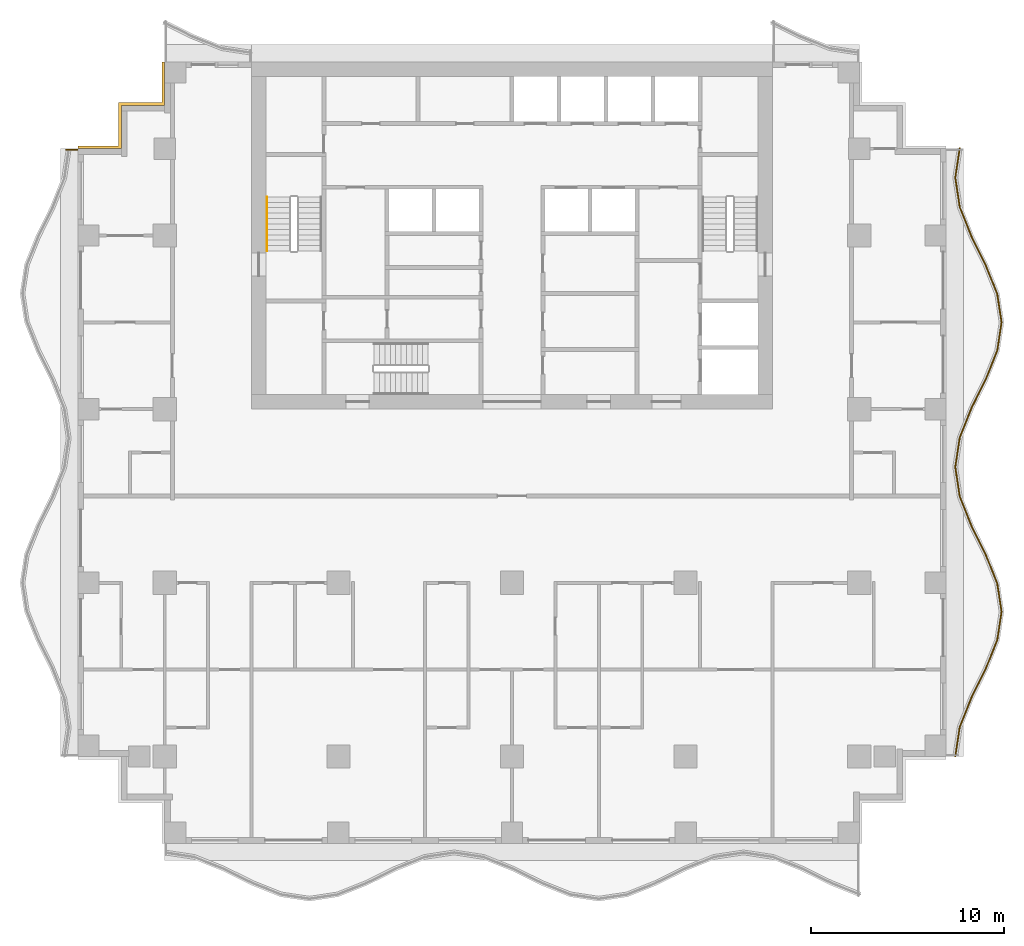
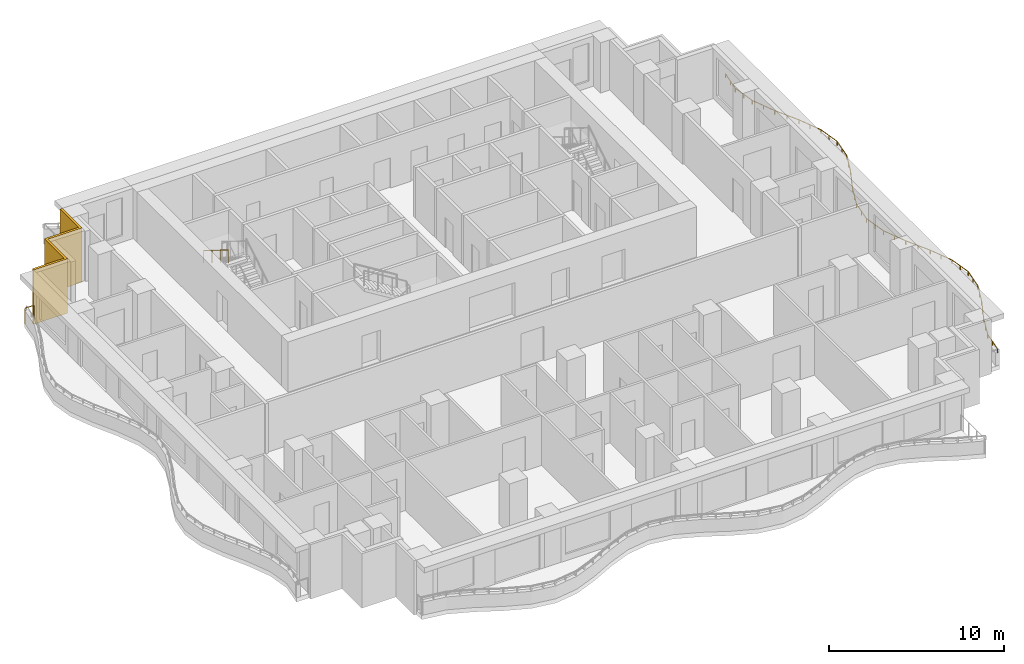
# One storey, part 9 of 10: 3 railings, 1 shading device.
"""IFC4 building model written with IfcOpenShell, lengths in metres."""

from ifc_helpers import new_model, si_unit, direction, frame, origin, origin_2d, place, context, subcontext, project, spatial, polyline, rectangle, circle, outline, extrude, material, layer, layer_set, type_object, element, save


model = new_model("IFC4")

# Units and contexts
model_context = context("Model", 3, precision=1e-05, world=origin(), true_north=direction((0.0, 1.0)))
body_context = subcontext(model_context, "Body", "Model", "MODEL_VIEW")
ifc_project = project(units=[si_unit("LENGTHUNIT", "METRE"), si_unit("AREAUNIT", "SQUARE_METRE"), si_unit("VOLUMEUNIT", "CUBIC_METRE"), si_unit("PLANEANGLEUNIT", "RADIAN"), si_unit("MASSUNIT", "GRAM", prefix="KILO")], contexts=[model_context])

# Site, building, storey
site_placement = place(None, origin())
site = spatial("IfcSite", under=ifc_project, at=site_placement, CompositionType="ELEMENT")
building_placement = place(site_placement, origin())
building = spatial("IfcBuilding", under=site, at=building_placement, Name="Orbiselva Terraces", CompositionType="ELEMENT")
storey_placement = place(building_placement, frame((0.0, 0.0, 166.8)))
storey = spatial("IfcBuildingStorey", under=building, at=storey_placement, Name="L42", CompositionType="ELEMENT", Elevation=166.8)

# Railings
ifc_material_1 = material(Name="Stainless steel", Category="steel")
railing_type_1 = type_object("IfcRailingType", Name="CORE-HANDRAIL-900", PredefinedType="HANDRAIL", material=ifc_material_1)
railing_1_placement = place(storey_placement, frame((-12.7, 15.5, 2.072727)))
element("IfcRailing", 1, at=railing_1_placement, inside=storey, type_object=railing_type_1, Name="L42 S1 stair handrail 2", PredefinedType="HANDRAIL", context=body_context, shape_type="SweptSolid", body=[
    extrude(circle(Radius=0.024, at=origin_2d()), frame((0.0, 0.0, 0.876), z_axis=(0.0, -0.851088519012, 0.52502222125), x_axis=(1.0, 0.0, 0.0)), (0.0, 0.0, 1.0), 3.289905),
    extrude(circle(Radius=0.021, at=origin_2d()), origin(), (0.0, 0.0, 1.0), 0.852),
    extrude(circle(Radius=0.021, at=origin_2d()), frame((0.0, -0.933333, 0.575758)), (0.0, 0.0, 1.0), 0.852),
    extrude(circle(Radius=0.021, at=origin_2d()), frame((0.0, -1.866667, 1.151515)), (0.0, 0.0, 1.0), 0.852),
    extrude(circle(Radius=0.021, at=origin_2d()), frame((0.0, -2.8, 1.727273)), (0.0, 0.0, 1.0), 0.852),
])
ifc_material_2 = material(Name="Bonded two-ply safety glass balustrade, stainless steel posts", Category="steel")
railing_type_2 = type_object("IfcRailingType", Name="ENV-BALUSTRADE-1200", PredefinedType="BALUSTRADE", material=ifc_material_2)
railing_2_placement = place(storey_placement, frame((22.976434, -13.481121, 0.9)))
element("IfcRailing", 2, at=railing_2_placement, inside=storey, type_object=railing_type_2, Name="Balcony balustrade L42 E", PredefinedType="BALUSTRADE", context=body_context, shape_type="SweptSolid", body=[
    extrude(outline(polyline([(0.028868, 0.0), (0.014434, 0.025), (-0.014434, 0.025), (-0.028868, 0.0), (-0.014434, -0.025), (0.014434, -0.025), (0.028868, 0.0)])), frame((0.0, 0.0, 0.275), z_axis=(0.151033869252, 0.988528588529, 0.0), x_axis=(-0.988528588529, 0.151033869252, 0.0)), (0.0, 0.0, 1.0), 1.531776),
    extrude(outline(polyline([(0.028868, 0.0), (0.014434, 0.025), (-0.014434, 0.025), (-0.028868, 0.0), (-0.014434, -0.025), (0.014434, -0.025), (0.028868, 0.0)])), frame((0.23135, 1.514204, 0.275), z_axis=(0.371390359967, 0.92847681744, 0.0), x_axis=(-0.92847681744, 0.371390359967, 0.0)), (0.0, 0.0, 1.0), 1.634838),
    extrude(outline(polyline([(0.028868, 0.0), (0.014434, 0.025), (-0.014434, 0.025), (-0.028868, 0.0), (-0.014434, -0.025), (0.014434, -0.025), (0.028868, 0.0)])), frame((0.838513, 3.032113, 0.275), z_axis=(0.443212307306, 0.896416672454, 0.0), x_axis=(-0.896416672454, 0.443212307306, 0.0)), (0.0, 0.0, 1.0), 1.673329),
    extrude(outline(polyline([(0.028868, 0.0), (0.014434, 0.025), (-0.014434, 0.025), (-0.028868, 0.0), (-0.014434, -0.025), (0.014434, -0.025), (0.028868, 0.0)])), frame((1.580153, 4.532113, 0.275), z_axis=(0.371391000387, 0.928476561272, 0.0), x_axis=(-0.928476561272, 0.371391000387, 0.0)), (0.0, 0.0, 1.0), 1.596261),
    extrude(outline(polyline([(0.028868, 0.0), (0.014434, 0.025), (-0.014434, 0.025), (-0.028868, 0.0), (-0.014434, -0.025), (0.014434, -0.025), (0.028868, 0.0)])), frame((2.17299, 6.014204, 0.275), z_axis=(0.151033749027, 0.988528606898, 0.0), x_axis=(-0.988528606898, 0.151033749027, 0.0)), (0.0, 0.0, 1.0), 1.48394),
    extrude(outline(polyline([(0.028868, 0.0), (0.014434, 0.025), (-0.014434, 0.025), (-0.028868, 0.0), (-0.014434, -0.025), (0.014434, -0.025), (0.028868, 0.0)])), frame((2.397115, 7.481121, 0.275), z_axis=(-0.151033749027, 0.988528606898, 0.0), x_axis=(-0.988528606898, -0.151033749027, 0.0)), (0.0, 0.0, 1.0), 1.48394),
    extrude(outline(polyline([(0.028868, 0.0), (0.014434, 0.025), (-0.014434, 0.025), (-0.028868, 0.0), (-0.014434, -0.025), (0.014434, -0.025), (0.028868, 0.0)])), frame((2.17299, 8.948038, 0.275), z_axis=(-0.371391000387, 0.928476561272, 0.0), x_axis=(-0.928476561272, -0.371391000387, 0.0)), (0.0, 0.0, 1.0), 1.596261),
    extrude(outline(polyline([(0.028868, 0.0), (0.014434, 0.025), (-0.014434, 0.025), (-0.028868, 0.0), (-0.014434, -0.025), (0.014434, -0.025), (0.028868, 0.0)])), frame((1.580153, 10.430129, 0.275), z_axis=(-0.443212307306, 0.896416672454, 0.0), x_axis=(-0.896416672454, -0.443212307306, 0.0)), (0.0, 0.0, 1.0), 1.673329),
    extrude(outline(polyline([(0.028868, 0.0), (0.014434, 0.025), (-0.014434, 0.025), (-0.028868, 0.0), (-0.014434, -0.025), (0.014434, -0.025), (0.028868, 0.0)])), frame((0.838513, 11.930129, 0.275), z_axis=(-0.371390359967, 0.92847681744, 0.0), x_axis=(-0.92847681744, -0.371390359967, 0.0)), (0.0, 0.0, 1.0), 1.634838),
    extrude(outline(polyline([(0.028868, 0.0), (0.014434, 0.025), (-0.014434, 0.025), (-0.028868, 0.0), (-0.014434, -0.025), (0.014434, -0.025), (0.028868, 0.0)])), frame((0.23135, 13.448038, 0.275), z_axis=(-0.151034211256, 0.988528536275, 0.0), x_axis=(-0.988528536275, -0.151034211256, 0.0)), (0.0, 0.0, 1.0), 1.550874),
    extrude(outline(polyline([(0.028868, 0.0), (0.014434, 0.025), (-0.014434, 0.025), (-0.028868, 0.0), (-0.014434, -0.025), (0.014434, -0.025), (0.028868, 0.0)])), frame((-0.002885, 14.981121, 0.275), z_axis=(0.151034211256, 0.988528536275, 0.0), x_axis=(-0.988528536275, 0.151034211256, 0.0)), (0.0, 0.0, 1.0), 1.550874),
    extrude(outline(polyline([(0.028868, 0.0), (0.014434, 0.025), (-0.014434, 0.025), (-0.028868, 0.0), (-0.014434, -0.025), (0.014434, -0.025), (0.028868, 0.0)])), frame((0.23135, 16.514204, 0.275), z_axis=(0.371390359967, 0.92847681744, 0.0), x_axis=(-0.92847681744, 0.371390359967, 0.0)), (0.0, 0.0, 1.0), 1.634838),
    extrude(outline(polyline([(0.028868, 0.0), (0.014434, 0.025), (-0.014434, 0.025), (-0.028868, 0.0), (-0.014434, -0.025), (0.014434, -0.025), (0.028868, 0.0)])), frame((0.838513, 18.032113, 0.275), z_axis=(0.443212307306, 0.896416672454, 0.0), x_axis=(-0.896416672454, 0.443212307306, 0.0)), (0.0, 0.0, 1.0), 1.673329),
    extrude(outline(polyline([(0.028868, 0.0), (0.014434, 0.025), (-0.014434, 0.025), (-0.028868, 0.0), (-0.014434, -0.025), (0.014434, -0.025), (0.028868, 0.0)])), frame((1.580153, 19.532113, 0.275), z_axis=(0.371391000387, 0.928476561272, 0.0), x_axis=(-0.928476561272, 0.371391000387, 0.0)), (0.0, 0.0, 1.0), 1.596261),
    extrude(outline(polyline([(0.028868, 0.0), (0.014434, 0.025), (-0.014434, 0.025), (-0.028868, 0.0), (-0.014434, -0.025), (0.014434, -0.025), (0.028868, 0.0)])), frame((2.17299, 21.014204, 0.275), z_axis=(0.151033749027, 0.988528606898, 0.0), x_axis=(-0.988528606898, 0.151033749027, 0.0)), (0.0, 0.0, 1.0), 1.48394),
    extrude(outline(polyline([(0.028868, 0.0), (0.014434, 0.025), (-0.014434, 0.025), (-0.028868, 0.0), (-0.014434, -0.025), (0.014434, -0.025), (0.028868, 0.0)])), frame((2.397115, 22.481121, 0.275), z_axis=(-0.151033749027, 0.988528606898, 0.0), x_axis=(-0.988528606898, -0.151033749027, 0.0)), (0.0, 0.0, 1.0), 1.48394),
    extrude(outline(polyline([(0.028868, 0.0), (0.014434, 0.025), (-0.014434, 0.025), (-0.028868, 0.0), (-0.014434, -0.025), (0.014434, -0.025), (0.028868, 0.0)])), frame((2.17299, 23.948038, 0.275), z_axis=(-0.371391000387, 0.928476561272, 0.0), x_axis=(-0.928476561272, -0.371391000387, 0.0)), (0.0, 0.0, 1.0), 1.596261),
    extrude(outline(polyline([(0.028868, 0.0), (0.014434, 0.025), (-0.014434, 0.025), (-0.028868, 0.0), (-0.014434, -0.025), (0.014434, -0.025), (0.028868, 0.0)])), frame((1.580153, 25.430129, 0.275), z_axis=(-0.443212307306, 0.896416672454, 0.0), x_axis=(-0.896416672454, -0.443212307306, 0.0)), (0.0, 0.0, 1.0), 1.673329),
    extrude(outline(polyline([(0.028868, 0.0), (0.014434, 0.025), (-0.014434, 0.025), (-0.028868, 0.0), (-0.014434, -0.025), (0.014434, -0.025), (0.028868, 0.0)])), frame((0.838513, 26.930129, 0.275), z_axis=(-0.371390359967, 0.92847681744, 0.0), x_axis=(-0.92847681744, -0.371390359967, 0.0)), (0.0, 0.0, 1.0), 1.634838),
    extrude(outline(polyline([(0.028868, 0.0), (0.014434, 0.025), (-0.014434, 0.025), (-0.028868, 0.0), (-0.014434, -0.025), (0.014434, -0.025), (0.028868, 0.0)])), frame((0.23135, 28.448038, 0.275), z_axis=(-0.151034211256, 0.988528536275, 0.0), x_axis=(-0.988528536275, -0.151034211256, 0.0)), (0.0, 0.0, 1.0), 1.550874),
    extrude(outline(polyline([(0.028868, 0.0), (0.014434, 0.025), (-0.014434, 0.025), (-0.028868, 0.0), (-0.014434, -0.025), (0.014434, -0.025), (0.028868, 0.0)])), frame((-0.002885, 29.981121, 0.275), z_axis=(0.151034328999, 0.988528518286, 0.0), x_axis=(-0.988528518286, 0.151034328999, 0.0)), (0.0, 0.0, 1.0), 1.536505),
    extrude(rectangle(XDim=0.05, YDim=0.05, at=origin_2d()), origin(), (0.0, 0.0, 1.0), 0.25),
    extrude(rectangle(XDim=0.05, YDim=0.05, at=origin_2d()), frame((0.115675, 0.757102, 0.0)), (0.0, 0.0, 1.0), 0.25),
    extrude(rectangle(XDim=0.05, YDim=0.05, at=origin_2d()), frame((0.23135, 1.514204, 0.0)), (0.0, 0.0, 1.0), 0.25),
    extrude(rectangle(XDim=0.05, YDim=0.05, at=origin_2d()), frame((0.534931, 2.273158, 0.0)), (0.0, 0.0, 1.0), 0.25),
    extrude(rectangle(XDim=0.05, YDim=0.05, at=origin_2d()), frame((0.838513, 3.032113, 0.0)), (0.0, 0.0, 1.0), 0.25),
    extrude(rectangle(XDim=0.05, YDim=0.05, at=origin_2d()), frame((1.209333, 3.782113, 0.0)), (0.0, 0.0, 1.0), 0.25),
    extrude(rectangle(XDim=0.05, YDim=0.05, at=origin_2d()), frame((1.580153, 4.532113, 0.0)), (0.0, 0.0, 1.0), 0.25),
    extrude(rectangle(XDim=0.05, YDim=0.05, at=origin_2d()), frame((1.876571, 5.273159, 0.0)), (0.0, 0.0, 1.0), 0.25),
    extrude(rectangle(XDim=0.05, YDim=0.05, at=origin_2d()), frame((2.17299, 6.014204, 0.0)), (0.0, 0.0, 1.0), 0.25),
    extrude(rectangle(XDim=0.05, YDim=0.05, at=origin_2d()), frame((2.285052, 6.747663, 0.0)), (0.0, 0.0, 1.0), 0.25),
    extrude(rectangle(XDim=0.05, YDim=0.05, at=origin_2d()), frame((2.397115, 7.481121, 0.0)), (0.0, 0.0, 1.0), 0.25),
    extrude(rectangle(XDim=0.05, YDim=0.05, at=origin_2d()), frame((2.285052, 8.214579, 0.0)), (0.0, 0.0, 1.0), 0.25),
    extrude(rectangle(XDim=0.05, YDim=0.05, at=origin_2d()), frame((2.17299, 8.948038, 0.0)), (0.0, 0.0, 1.0), 0.25),
    extrude(rectangle(XDim=0.05, YDim=0.05, at=origin_2d()), frame((1.876571, 9.689084, 0.0)), (0.0, 0.0, 1.0), 0.25),
    extrude(rectangle(XDim=0.05, YDim=0.05, at=origin_2d()), frame((1.580153, 10.430129, 0.0)), (0.0, 0.0, 1.0), 0.25),
    extrude(rectangle(XDim=0.05, YDim=0.05, at=origin_2d()), frame((1.209333, 11.180129, 0.0)), (0.0, 0.0, 1.0), 0.25),
    extrude(rectangle(XDim=0.05, YDim=0.05, at=origin_2d()), frame((0.838513, 11.930129, 0.0)), (0.0, 0.0, 1.0), 0.25),
    extrude(rectangle(XDim=0.05, YDim=0.05, at=origin_2d()), frame((0.534931, 12.689084, 0.0)), (0.0, 0.0, 1.0), 0.25),
    extrude(rectangle(XDim=0.05, YDim=0.05, at=origin_2d()), frame((0.23135, 13.448038, 0.0)), (0.0, 0.0, 1.0), 0.25),
    extrude(rectangle(XDim=0.05, YDim=0.05, at=origin_2d()), frame((0.114232, 14.21458, 0.0)), (0.0, 0.0, 1.0), 0.25),
    extrude(rectangle(XDim=0.05, YDim=0.05, at=origin_2d()), frame((-0.002885, 14.981121, 0.0)), (0.0, 0.0, 1.0), 0.25),
    extrude(rectangle(XDim=0.05, YDim=0.05, at=origin_2d()), frame((0.114232, 15.747662, 0.0)), (0.0, 0.0, 1.0), 0.25),
    extrude(rectangle(XDim=0.05, YDim=0.05, at=origin_2d()), frame((0.23135, 16.514204, 0.0)), (0.0, 0.0, 1.0), 0.25),
    extrude(rectangle(XDim=0.05, YDim=0.05, at=origin_2d()), frame((0.534931, 17.273158, 0.0)), (0.0, 0.0, 1.0), 0.25),
    extrude(rectangle(XDim=0.05, YDim=0.05, at=origin_2d()), frame((0.838513, 18.032113, 0.0)), (0.0, 0.0, 1.0), 0.25),
    extrude(rectangle(XDim=0.05, YDim=0.05, at=origin_2d()), frame((1.209333, 18.782113, 0.0)), (0.0, 0.0, 1.0), 0.25),
    extrude(rectangle(XDim=0.05, YDim=0.05, at=origin_2d()), frame((1.580153, 19.532113, 0.0)), (0.0, 0.0, 1.0), 0.25),
    extrude(rectangle(XDim=0.05, YDim=0.05, at=origin_2d()), frame((1.876571, 20.273158, 0.0)), (0.0, 0.0, 1.0), 0.25),
    extrude(rectangle(XDim=0.05, YDim=0.05, at=origin_2d()), frame((2.17299, 21.014204, 0.0)), (0.0, 0.0, 1.0), 0.25),
    extrude(rectangle(XDim=0.05, YDim=0.05, at=origin_2d()), frame((2.285052, 21.747662, 0.0)), (0.0, 0.0, 1.0), 0.25),
    extrude(rectangle(XDim=0.05, YDim=0.05, at=origin_2d()), frame((2.397115, 22.481121, 0.0)), (0.0, 0.0, 1.0), 0.25),
    extrude(rectangle(XDim=0.05, YDim=0.05, at=origin_2d()), frame((2.285052, 23.21458, 0.0)), (0.0, 0.0, 1.0), 0.25),
    extrude(rectangle(XDim=0.05, YDim=0.05, at=origin_2d()), frame((2.17299, 23.948038, 0.0)), (0.0, 0.0, 1.0), 0.25),
    extrude(rectangle(XDim=0.05, YDim=0.05, at=origin_2d()), frame((1.876571, 24.689084, 0.0)), (0.0, 0.0, 1.0), 0.25),
    extrude(rectangle(XDim=0.05, YDim=0.05, at=origin_2d()), frame((1.580153, 25.430129, 0.0)), (0.0, 0.0, 1.0), 0.25),
    extrude(rectangle(XDim=0.05, YDim=0.05, at=origin_2d()), frame((1.209333, 26.180129, 0.0)), (0.0, 0.0, 1.0), 0.25),
    extrude(rectangle(XDim=0.05, YDim=0.05, at=origin_2d()), frame((0.838513, 26.930129, 0.0)), (0.0, 0.0, 1.0), 0.25),
    extrude(rectangle(XDim=0.05, YDim=0.05, at=origin_2d()), frame((0.534931, 27.689084, 0.0)), (0.0, 0.0, 1.0), 0.25),
    extrude(rectangle(XDim=0.05, YDim=0.05, at=origin_2d()), frame((0.23135, 28.448038, 0.0)), (0.0, 0.0, 1.0), 0.25),
    extrude(rectangle(XDim=0.05, YDim=0.05, at=origin_2d()), frame((0.114232, 29.21458, 0.0)), (0.0, 0.0, 1.0), 0.25),
    extrude(rectangle(XDim=0.05, YDim=0.05, at=origin_2d()), frame((-0.002885, 29.981121, 0.0)), (0.0, 0.0, 1.0), 0.25),
    extrude(rectangle(XDim=0.05, YDim=0.05, at=origin_2d()), frame((0.113147, 30.74056, 0.0)), (0.0, 0.0, 1.0), 0.25),
    extrude(rectangle(XDim=0.05, YDim=0.05, at=origin_2d()), frame((0.22918, 31.5, 0.0)), (0.0, 0.0, 1.0), 0.25),
])
ifc_material_3 = material(Name="Stainless steel rail and posts", Category="steel")
railing_type_3 = type_object("IfcRailingType", Name="ENV-GUARD-1105", PredefinedType="BALUSTRADE", material=ifc_material_3)
railing_3_placement = place(storey_placement, frame((-23.100379, 17.94, 0.0)))
element("IfcRailing", 3, at=railing_3_placement, inside=storey, type_object=railing_type_3, Name="Balcony end guard L42 W", PredefinedType="BALUSTRADE", context=body_context, shape_type="SweptSolid", body=[
    extrude(outline(polyline([(0.028868, 0.0), (0.014434, 0.025), (-0.014434, 0.025), (-0.028868, 0.0), (-0.014434, -0.025), (0.014434, -0.025), (0.028868, 0.0)])), frame((0.0, 0.0, 1.08), z_axis=(1.0, 0.0, 0.0), x_axis=(0.0, 1.0, 0.0)), (0.0, 0.0, 1.0), 0.575379),
    extrude(rectangle(XDim=0.05, YDim=0.05, at=origin_2d()), origin(), (0.0, 0.0, 1.0), 1.055),
    extrude(rectangle(XDim=0.05, YDim=0.05, at=origin_2d()), frame((0.575379, 0.0, 0.0)), (0.0, 0.0, 1.0), 1.055),
])

# Shading device
ifc_material_4 = material(Name="Terracotta louvre screen", Category="masonry")
ifc_layer = layer(ifc_material_4, 0.15)
ifc_layer_set = layer_set([ifc_layer], Name="Terracotta louvre screen")
shading_device_type = type_object("IfcShadingDeviceType", Name="ENV-SCREEN-150", PredefinedType="USERDEFINED", material=ifc_layer_set)
shading_device_placement = place(storey_placement, frame((0.0, 0.0, -0.3)))
element("IfcShadingDevice", 4, at=shading_device_placement, inside=storey, type_object=shading_device_type, Name="Louvre screen L42 NW", ObjectType="SCREEN", PredefinedType="USERDEFINED", context=body_context, shape_type="SweptSolid", body=[
    extrude(outline(polyline([(-18.15, 22.5), (-18.15, 20.4), (-20.4, 20.4), (-20.4, 18.15), (-22.5, 18.15), (-22.5, 18.0), (-20.25, 18.0), (-20.25, 20.25), (-18.0, 20.25), (-18.0, 22.5), (-18.15, 22.5)])), origin(), (0.0, 0.0, 1.0), 3.8),
])

save(model, "model.ifc")
